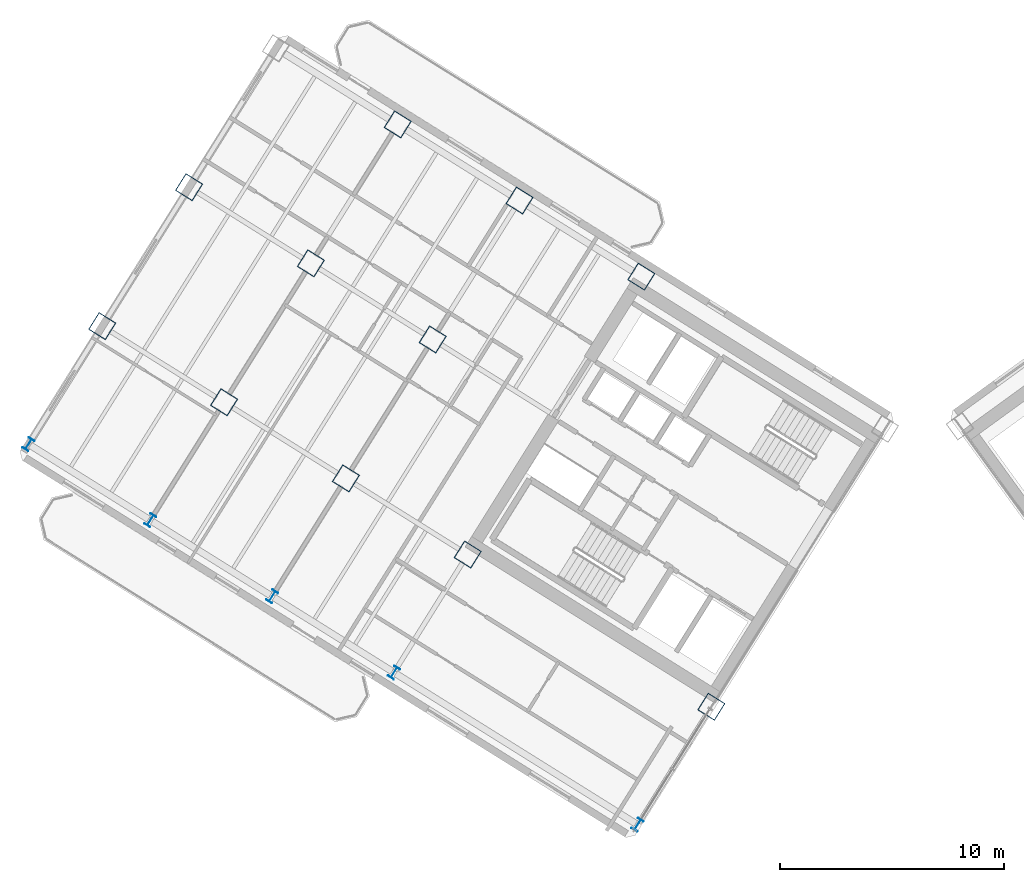
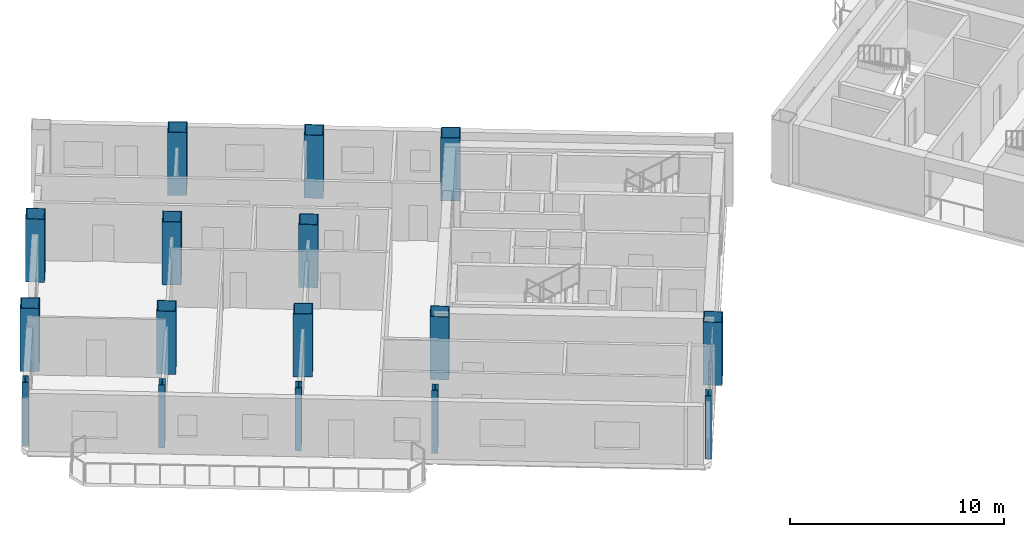
# One storey, part 1 of 18: 16 columns.
"""IFC4 building model written with IfcOpenShell, lengths in metres."""

import ifcopenshell
import ifcopenshell.guid

model = None  # the IFC model being written
_history = None  # IfcOwnerHistory: only IFC2X3 demands one
_inside = {}  # id of a spatial element -> (the spatial element, [elements in it])
_under = {}  # id of a project, library or spatial element -> (it, [spatial elements below it])
_declared = {}  # id of a project -> (the project, [libraries it declares])
_typed = {}  # id of a type object -> (the type object, [elements of that type])
_made_of = {}  # id of a material, layer set ... -> (it, [elements and type objects made of it])


def new_model(schema):
    """Start an empty IFC model of exactly this schema.

    Asked for "IFC4X3", IfcOpenShell would pick the latest addendum, in which some entities
    have other attributes; the version numbers below select the first issue.
    IFC2X3 requires an IfcOwnerHistory on every rooted entity: one is made here for all.
    """
    global model, _history
    if schema == "IFC4X3":
        model = ifcopenshell.file(schema_version=(4, 3, 0, 0))
    else:
        model = ifcopenshell.file(schema=schema)
    _inside.clear()
    _under.clear()
    _declared.clear()
    _typed.clear()
    _made_of.clear()
    _history = None
    if model.schema == "IFC2X3":
        org = make("IfcOrganization", Name="unknown")
        user = make(
            "IfcPersonAndOrganization",
            ThePerson=make("IfcPerson", FamilyName="unknown"),
            TheOrganization=org,
        )
        app = make(
            "IfcApplication",
            ApplicationDeveloper=org,
            Version="unknown",
            ApplicationFullName="unknown",
            ApplicationIdentifier="unknown",
        )
        _history = make(
            "IfcOwnerHistory",
            OwningUser=user,
            OwningApplication=app,
            ChangeAction="ADDED",
            CreationDate=0,
        )
    return model


def make(cls, **values):
    """One entity of the class cls with the attributes given. An attribute that is None is left unset."""
    return model.create_entity(
        cls, **{name: value for name, value in values.items() if value is not None}
    )


def rooted(cls, **values):
    """An entity with a GlobalId (a new one), such as an element, a storey or a relation."""
    return make(cls, GlobalId=ifcopenshell.guid.new(), OwnerHistory=_history, **values)


def si_unit(unit_type, name, prefix=None):
    """IfcSIUnit, for example si_unit("LENGTHUNIT", "METRE", prefix="MILLI")."""
    return make("IfcSIUnit", UnitType=unit_type, Prefix=prefix, Name=name)


def assignment(units):
    """IfcUnitAssignment: the units of a project."""
    return None if units is None else make("IfcUnitAssignment", Units=units)


def point(xyz):
    """IfcCartesianPoint."""
    return None if xyz is None else make("IfcCartesianPoint", Coordinates=xyz)


def direction(xyz):
    """IfcDirection."""
    return None if xyz is None else make("IfcDirection", DirectionRatios=xyz)


def frame(location, z_axis=None, x_axis=None):
    """IfcAxis2Placement3D, a coordinate frame: its origin and axes. An axis left out is left unset."""
    return make(
        "IfcAxis2Placement3D",
        Location=point(location),
        Axis=direction(z_axis),
        RefDirection=direction(x_axis),
    )


def frame_2d(location, x_axis=None):
    """IfcAxis2Placement2D, a coordinate frame in the plane: its origin and x axis."""
    return make(
        "IfcAxis2Placement2D", Location=point(location), RefDirection=direction(x_axis)
    )


def origin():
    """The frame at (0, 0, 0) with its axes left unset."""
    return frame((0.0, 0.0, 0.0))


def origin_2d():
    """The frame at (0, 0) in the plane with its x axis left unset."""
    return frame_2d((0.0, 0.0))


def place(relative_to, where):
    """IfcLocalPlacement: puts the frame where relative to a parent placement (None: the world)."""
    return make(
        "IfcLocalPlacement", PlacementRelTo=relative_to, RelativePlacement=where
    )


def context(
    kind, dimensions, precision=None, world=None, true_north=None, identifier=None
):
    """IfcGeometricRepresentationContext, for example the 3D "Model" context."""
    return make(
        "IfcGeometricRepresentationContext",
        ContextIdentifier=identifier,
        ContextType=kind,
        CoordinateSpaceDimension=dimensions,
        Precision=precision,
        WorldCoordinateSystem=world,
        TrueNorth=true_north,
    )


def subcontext(parent, identifier, kind, view, scale=None):
    """IfcGeometricRepresentationSubContext, for example "Body" below "Model"."""
    return make(
        "IfcGeometricRepresentationSubContext",
        ContextIdentifier=identifier,
        ContextType=kind,
        ParentContext=parent,
        TargetScale=scale,
        TargetView=view,
    )


def project(units=None, contexts=None):
    """IfcProject with its units and contexts."""
    return rooted(
        "IfcProject",
        Name="project",
        RepresentationContexts=contexts,
        UnitsInContext=assignment(units),
    )


def spatial(cls, under=None, at=None, **own):
    """A site, building, storey or space (cls), placed at a placement, below another one or the project."""
    s = rooted(cls, ObjectPlacement=at, **own)
    if under is not None:
        _under.setdefault(under.id(), (under, []))[1].append(s)
    return s


def profile(cls, at=None, kind="AREA", **sizes):
    """A parametric profile (cls). Its sizes go by their IFC names, for example OverallWidth=200.0."""
    return make(cls, ProfileType=kind, Position=at, **sizes)


def hollow_rectangle(**sizes):
    """IfcRectangleHollowProfileDef."""
    return profile("IfcRectangleHollowProfileDef", **sizes)


def i_section(**sizes):
    """IfcIShapeProfileDef."""
    return profile("IfcIShapeProfileDef", **sizes)


def extrude(swept, where, along, depth):
    """IfcExtrudedAreaSolid: the profile swept, set in the frame where, extruded along a direction by depth."""
    return make(
        "IfcExtrudedAreaSolid",
        SweptArea=swept,
        Position=where,
        ExtrudedDirection=direction(along),
        Depth=depth,
    )


def shape(context_of_items, identifier, shape_type, items):
    """IfcShapeRepresentation: the items that make up one representation, for example the "Body"."""
    return make(
        "IfcShapeRepresentation",
        ContextOfItems=context_of_items,
        RepresentationIdentifier=identifier,
        RepresentationType=shape_type,
        Items=items,
    )


def source(mapping_origin, context_of_items, identifier, shape_type, items):
    """IfcRepresentationMap: a shape defined once, which mapped items show again and again."""
    return make(
        "IfcRepresentationMap",
        MappingOrigin=mapping_origin,
        MappedRepresentation=shape(context_of_items, identifier, shape_type, items),
    )


def transform(
    local_origin,
    x_axis=None,
    y_axis=None,
    z_axis=None,
    scale=None,
    scale2=None,
    scale3=None,
    uniform=True,
):
    """IfcCartesianTransformationOperator3D, or its non-uniform kind. x_axis, y_axis, z_axis: its Axis1, 2, 3."""
    if uniform:
        return make(
            "IfcCartesianTransformationOperator3D",
            Axis1=direction(x_axis),
            Axis2=direction(y_axis),
            LocalOrigin=point(local_origin),
            Scale=scale,
            Axis3=direction(z_axis),
        )
    return make(
        "IfcCartesianTransformationOperator3DnonUniform",
        Axis1=direction(x_axis),
        Axis2=direction(y_axis),
        LocalOrigin=point(local_origin),
        Scale=scale,
        Axis3=direction(z_axis),
        Scale2=scale2,
        Scale3=scale3,
    )


def mapped(mapping_source, mapping_target):
    """IfcMappedItem: shows the shape of a source again, moved by a transform."""
    return make(
        "IfcMappedItem", MappingSource=mapping_source, MappingTarget=mapping_target
    )


def material(Name=None, Category=None):
    """IfcMaterial."""
    return make("IfcMaterial", Name=Name, Category=Category)


def material_profile(
    of_material, cross_section, Name=None, Category=None, Priority=None
):
    """IfcMaterialProfile: a cross section and its material."""
    return make(
        "IfcMaterialProfile",
        Name=Name,
        Material=of_material,
        Profile=cross_section,
        Priority=Priority,
        Category=Category,
    )


def profile_set(profiles, Name=None, composite=None):
    """IfcMaterialProfileSet."""
    return make(
        "IfcMaterialProfileSet",
        Name=Name,
        MaterialProfiles=profiles,
        CompositeProfile=composite,
    )


def made_of(thing, what):
    """Note that an element or type object is made of a material, layer set ...; save() writes the relation."""
    if what is not None:
        _made_of.setdefault(what.id(), (what, []))[1].append(thing)
    return thing


def type_object(cls, material=None, **own):
    """A type object (cls), such as IfcWallType, which elements share."""
    return made_of(rooted(cls, **own), material)


def element(
    cls,
    number,
    at=None,
    inside=None,
    cuts=None,
    type_object=None,
    material=None,
    context=None,
    identifier="Body",
    shape_type=None,
    held_by="IfcProductDefinitionShape",
    body=None,
    shapes=None,
    **own,
):
    """One element of the class cls, such as IfcWall. Its Tag is "e" and its number.

    at: its placement. inside: the storey or other place that contains it. cuts: it is an
    opening in that element (IfcRelVoidsElement). A single representation is given by context,
    identifier, shape_type and body (its items); several are given by shapes. held_by: the class
    of the entity that holds the representations. save() writes the other relations.
    """
    e = rooted(cls, Tag="e%d" % number, ObjectPlacement=at, **own)
    if body is not None:
        shapes = [shape(context, identifier, shape_type, body)]
    if shapes is not None:
        e.Representation = make(held_by, Representations=shapes)
    if inside is not None:
        _inside.setdefault(inside.id(), (inside, []))[1].append(e)
    if cuts is not None:
        rooted(
            "IfcRelVoidsElement", RelatingBuildingElement=cuts, RelatedOpeningElement=e
        )
    if type_object is not None:
        _typed.setdefault(type_object.id(), (type_object, []))[1].append(e)
    return made_of(e, material)


def aggregate(whole, parts):
    """IfcRelAggregates: a whole, such as a stair, and the parts it consists of."""
    return rooted("IfcRelAggregates", RelatingObject=whole, RelatedObjects=parts)


def save(model, path):
    """Write the relations noted so far, then the file.

    IfcRelAggregates (storeys below a building ...), IfcRelContainedInSpatialStructure (elements
    in a storey), IfcRelDefinesByType, IfcRelAssociatesMaterial and IfcRelDeclares: one each for
    every whole, place, type object, material and project.
    """
    for whole, parts in _under.values():
        aggregate(whole, parts)
    for where, things in _inside.values():
        rooted(
            "IfcRelContainedInSpatialStructure",
            RelatedElements=things,
            RelatingStructure=where,
        )
    for kind, things in _typed.values():
        rooted("IfcRelDefinesByType", RelatedObjects=things, RelatingType=kind)
    for what, things in _made_of.values():
        rooted("IfcRelAssociatesMaterial", RelatedObjects=things, RelatingMaterial=what)
    for by, libraries in _declared.values():
        rooted("IfcRelDeclares", RelatingContext=by, RelatedDefinitions=libraries)
    model.write(path)


model = new_model("IFC4")

# Units and contexts
model_context = context("Model", 3, precision=1e-05, world=origin(), true_north=direction((0.0, 1.0)))
body_context = subcontext(model_context, "Body", "Model", "MODEL_VIEW")
ifc_project = project(units=[si_unit("LENGTHUNIT", "METRE"), si_unit("AREAUNIT", "SQUARE_METRE"), si_unit("VOLUMEUNIT", "CUBIC_METRE"), si_unit("PLANEANGLEUNIT", "RADIAN"), si_unit("MASSUNIT", "GRAM", prefix="KILO")], contexts=[model_context])

# Site, building, storey
site_placement = place(None, origin())
site = spatial("IfcSite", under=ifc_project, at=site_placement, CompositionType="ELEMENT")
building_placement = place(site_placement, origin())
building = spatial("IfcBuilding", under=site, at=building_placement, Name="Tlacorven Tower", CompositionType="ELEMENT")
storey_placement = place(building_placement, frame((0.0, 0.0, 132.60009765625)))
storey = spatial("IfcBuildingStorey", under=building, at=storey_placement, Name="L33", CompositionType="ELEMENT", Elevation=132.60009765625)

# Columns
ifc_material = material(Name="Steel S460M", Category="steel")
ifc_material_profile_1 = material_profile(ifc_material, hollow_rectangle(XDim=0.89990234375, YDim=0.89990234375, WallThickness=0.035888671875, at=origin_2d()), Name="BOX 900X900X36")
ifc_profile_set_1 = profile_set([ifc_material_profile_1], Name="Steel S460M")
column_type_1 = type_object("IfcColumnType", Name="COL-TWR-S2", PredefinedType="COLUMN", material=ifc_profile_set_1)
shared_shape_1 = source(origin(), body_context, "Body", "SweptSolid", [
    extrude(hollow_rectangle(XDim=0.89990234375, YDim=0.89990234375, WallThickness=0.035888671875, at=origin_2d()), origin(), (0.0, 0.0, 1.0), 3.599853515625),
])
for number, where, z_axis, x_axis, name in (
    (1, (33.046142578125, 12.0869140625, 0.0), (0.0, 0.0, 1.0), (-0.848048096156, 0.529919264233, 0.0), "L33 column COL-L33-W1-3"),
    (2, (29.927978515625, 31.25146484375, 0.0), (0.0, 0.0, 1.0), (-0.848048096156, 0.529919264233, 0.0), "L33 column COL-L33-W3-1"),
    (3, (22.191162109375, 18.869873046875, 0.0), (0.0, 0.0, 1.0), (-0.848048096156, 0.529919264233, 0.0), "L33 column COL-L33-W3-3"),
    (4, (24.50048828125, 34.642822265625, 0.0), (0.0, 0.0, 1.0), (-0.848048096156, 0.529919264233, 0.0), "L33 column COL-L33-W4-1"),
    (5, (20.632080078125, 28.4521484375, 0.0), (0.0, 0.0, 1.0), (-0.848048096156, 0.529919264233, 0.0), "L33 column COL-L33-W4-2"),
    (6, (16.763671875, 22.26123046875, 0.0), (0.0, 0.0, 1.0), (-0.848048096156, 0.529919264233, 0.0), "L33 column COL-L33-W4-3"),
    (7, (19.072998046875, 38.034423828125, 0.0), (0.0, 0.0, 1.0), (-0.848048096156, 0.529919264233, 0.0), "L33 column COL-L33-W5-1"),
    (8, (15.20458984375, 31.843505859375, 0.0), (0.0, 0.0, 1.0), (-0.848048096156, 0.529919264233, 0.0), "L33 column COL-L33-W5-2"),
    (9, (11.336181640625, 25.65283203125, 0.0), (0.0, 0.0, 1.0), (-0.848048096156, 0.529919264233, 0.0), "L33 column COL-L33-W5-3"),
    (10, (9.777099609375, 35.235107421875, 0.0), (0.0, 0.0, 1.0), (-0.848048096156, 0.529919264233, 0.0), "L33 column COL-L33-W6-2"),
    (11, (5.90869140625, 29.044189453125, 0.0), (0.0, 0.0, 1.0), (-0.848048096156, 0.529919264233, 0.0), "L33 column COL-L33-W6-3"),
):
    element("IfcColumn", number, at=place(storey_placement, frame(where, z_axis=z_axis, x_axis=x_axis)), inside=storey, type_object=column_type_1, Name=name, PredefinedType="COLUMN", context=body_context, shape_type="MappedRepresentation", body=[
        mapped(shared_shape_1, transform((0.0, 0.0, 0.0), scale=1.0)),
    ])
ifc_material_profile_2 = material_profile(ifc_material, i_section(OverallWidth=0.300048828125, OverallDepth=0.550048828125, WebThickness=0.014892578125, FlangeThickness=0.029052734375, at=origin_2d()), Name="HEB 550")
ifc_profile_set_2 = profile_set([ifc_material_profile_2], Name="Steel S460M")
column_type_2 = type_object("IfcColumnType", Name="COL-TWR-P2", PredefinedType="COLUMN", material=ifc_profile_set_2)
shared_shape_2 = source(origin(), body_context, "Body", "SweptSolid", [
    extrude(i_section(OverallWidth=0.300048828125, OverallDepth=0.550048828125, WebThickness=0.014892578125, FlangeThickness=0.029052734375, at=origin_2d()), origin(), (0.0, 0.0, 1.0), 3.599853515625),
])
for number, where, z_axis, x_axis, name in (
    (12, (29.7607421875, 6.8291015625, 0.0), (0.0, 0.0, 1.0), (-0.848048096156, 0.529919264233, 0.0), "L33 column COL-L33-W1-4"),
    (13, (18.905517578125, 13.612060546875, 0.0), (0.0, 0.0, 1.0), (-0.848048096156, 0.529919264233, 0.0), "L33 column COL-L33-W3-4"),
    (14, (13.47802734375, 17.00341796875, 0.0), (0.0, 0.0, 1.0), (-0.848048096156, 0.529919264233, 0.0), "L33 column COL-L33-W4-4"),
    (15, (8.050537109375, 20.39501953125, 0.0), (0.0, 0.0, 1.0), (-0.848048096156, 0.529919264233, 0.0), "L33 column COL-L33-W5-4"),
    (16, (2.623046875, 23.786376953125, 0.0), (0.0, 0.0, 1.0), (-0.848048096156, 0.529919264233, 0.0), "L33 column COL-L33-W6-4"),
):
    element("IfcColumn", number, at=place(storey_placement, frame(where, z_axis=z_axis, x_axis=x_axis)), inside=storey, type_object=column_type_2, Name=name, PredefinedType="COLUMN", context=body_context, shape_type="MappedRepresentation", body=[
        mapped(shared_shape_2, transform((0.0, 0.0, 0.0), scale=1.0)),
    ])

save(model, "model.ifc")
